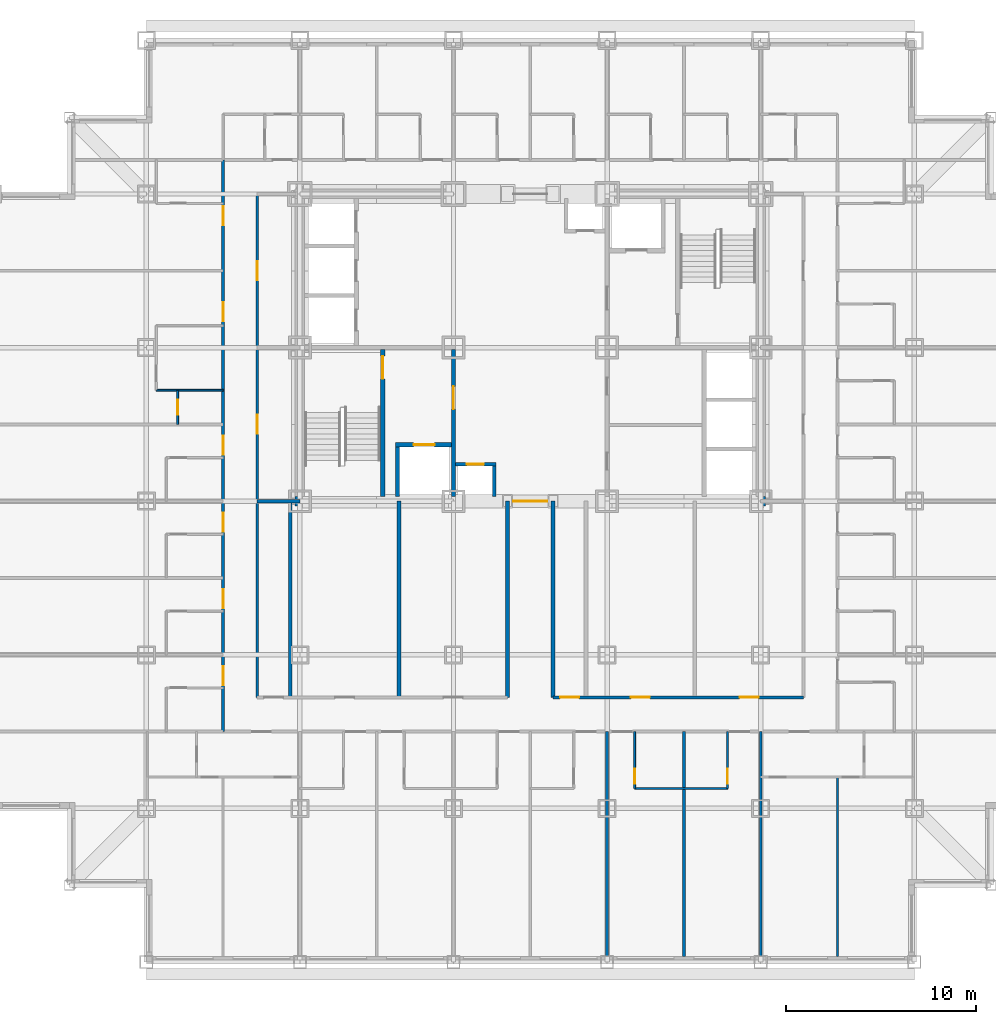
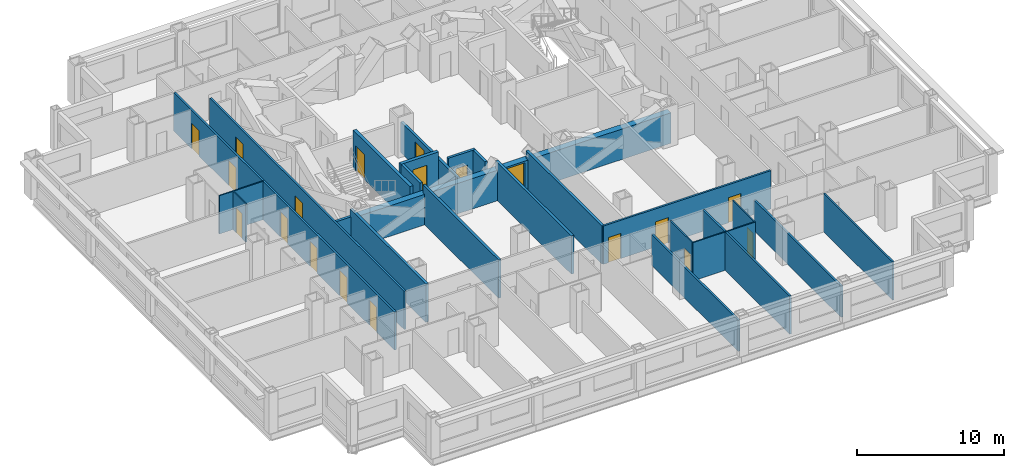
# One storey, part 5 of 11: 24 walls, 19 doors, 19 openings.
"""IFC4 building model written with IfcOpenShell, lengths in metres."""

from ifc_helpers import new_model, si_unit, direction, frame, frame_2d, origin, place, context, subcontext, project, spatial, rectangle, extrude, material, layer, layer_set, type_object, element, fill, save


model = new_model("IFC4")

# Units and contexts
model_context = context("Model", 3, precision=1e-05, world=origin(), true_north=direction((0.0, 1.0)))
body_context = subcontext(model_context, "Body", "Model", "MODEL_VIEW")
ifc_project = project(units=[si_unit("LENGTHUNIT", "METRE"), si_unit("AREAUNIT", "SQUARE_METRE"), si_unit("VOLUMEUNIT", "CUBIC_METRE"), si_unit("PLANEANGLEUNIT", "RADIAN"), si_unit("MASSUNIT", "GRAM", prefix="KILO")], contexts=[model_context])

# Site, building, storey
site_placement = place(None, origin())
site = spatial("IfcSite", under=ifc_project, at=site_placement, CompositionType="ELEMENT")
building_placement = place(site_placement, origin())
building = spatial("IfcBuilding", under=site, at=building_placement, Name="Kopane Lantern Tower", CompositionType="ELEMENT")
storey_placement = place(building_placement, frame((0.0, 0.0, 60.199951171875)))
storey = spatial("IfcBuildingStorey", under=building, at=storey_placement, Name="L14", CompositionType="ELEMENT", Elevation=60.199951171875)

# Walls
ifc_material_1 = material(Name="Gypsum board on steel studs", Category="steel")
ifc_layer_1 = layer(ifc_material_1, 0.1201171875)
ifc_layer_set_1 = layer_set([ifc_layer_1], Name="APARTMENT INTERNAL WALL 120")
wall_type_1 = type_object("IfcWallType", Name="APARTMENT INTERNAL WALL 120", PredefinedType="PARTITIONING", material=ifc_layer_set_1)
wall_1_placement = place(storey_placement, frame((44.550048828125, 9.75, 0.0), z_axis=(0.0, 0.0, 1.0), x_axis=(0.0, -1.0, 0.0)))
element("IfcWall", 1, at=wall_1_placement, inside=storey, type_object=wall_type_1, Name="Apartment Internal Wall 120 L14", PredefinedType="PARTITIONING", context=body_context, shape_type="SweptSolid", body=[
    extrude(rectangle(XDim=9.449951171875, YDim=0.1201171875, at=frame_2d((4.72509765625, 0.0))), origin(), (0.0, 0.0, 1.0), 3.18994140625),
])
ifc_material_2 = material(Name="Moisture-resistant board on steel studs", Category="steel")
ifc_layer_2 = layer(ifc_material_2, 0.10009765625)
ifc_layer_set_2 = layer_set([ifc_layer_2], Name="BATHROOM WALL 100")
wall_type_2 = type_object("IfcWallType", Name="BATHROOM WALL 100", PredefinedType="PARTITIONING", material=ifc_layer_set_2)
wall_2_placement = place(storey_placement, frame((33.85009765625, 9.14990234375, 0.0), z_axis=(0.0, 0.0, 1.0), x_axis=(1.0, 0.0, 0.0)))
element("IfcWall", 2, at=wall_2_placement, inside=storey, type_object=wall_type_2, Name="Bathroom Wall 100 L14", PredefinedType="PARTITIONING", context=body_context, shape_type="SweptSolid", body=[
    extrude(rectangle(XDim=4.89990234375, YDim=0.10009765625, at=frame_2d((2.449951171875, 0.0))), origin(), (0.0, 0.0, 1.0), 3.18994140625),
])

# Wall, opening, door
wall_3_placement = place(storey_placement, frame((33.85009765625, 12.14990234375, 0.0), z_axis=(0.0, 0.0, 1.0), x_axis=(0.0, -1.0, 0.0)))
wall_3 = element("IfcWall", 3, at=wall_3_placement, inside=storey, type_object=wall_type_2, Name="Bathroom Wall 100 L14", PredefinedType="PARTITIONING", context=body_context, shape_type="SweptSolid", body=[
    extrude(rectangle(XDim=3.0, YDim=0.10009765625, at=frame_2d((1.5, 0.0))), origin(), (0.0, 0.0, 1.0), 3.18994140625),
])
opening_1_placement = place(wall_3_placement, frame((1.949951171875, 0.0, 0.0)))
opening_1 = element("IfcOpeningElement", 4, at=opening_1_placement, cuts=wall_3, Name="Opening L14-019", PredefinedType="OPENING", context=body_context, shape_type="SweptSolid", body=[
    extrude(rectangle(XDim=0.800048828125, YDim=2.10009765625, at=frame_2d((0.39990234375, 1.050048828125))), frame((0.0, 0.06005859375, 0.0), z_axis=(0.0, -1.0, 0.0), x_axis=(1.0, 0.0, 0.0)), (0.0, 0.0, 1.0), 0.1201171875),
])
ifc_material_3 = material(Name="Timber door set", Category="wood")
door_type_1 = type_object("IfcDoorType", Name="DOOR D2 800x2100", OperationType="SINGLE_SWING_LEFT", PredefinedType="DOOR", material=ifc_material_3)
door_1_placement = place(opening_1_placement, origin())
door_1 = element("IfcDoor", 5, at=door_1_placement, inside=storey, type_object=door_type_1, Name="Door L14-019", OperationType="SINGLE_SWING_RIGHT", OverallHeight=2.10009765625, OverallWidth=0.800048828125, PredefinedType="DOOR", context=body_context, shape_type="SweptSolid", body=[
    extrude(rectangle(XDim=0.800048828125, YDim=2.10009765625, at=frame_2d((0.39990234375, 1.050048828125))), frame((0.0, 0.02490234375, 0.0), z_axis=(0.0, -1.0, 0.0), x_axis=(1.0, 0.0, 0.0)), (0.0, 0.0, 1.0), 0.050048828125),
])
fill(opening_1, door_1)

wall_4_placement = place(storey_placement, frame((38.75, 12.14990234375, 0.0), z_axis=(0.0, 0.0, 1.0), x_axis=(0.0, -1.0, 0.0)))
wall_4 = element("IfcWall", 6, at=wall_4_placement, inside=storey, type_object=wall_type_2, Name="Bathroom Wall 100 L14", PredefinedType="PARTITIONING", context=body_context, shape_type="SweptSolid", body=[
    extrude(rectangle(XDim=3.0, YDim=0.10009765625, at=frame_2d((1.5, 0.0))), origin(), (0.0, 0.0, 1.0), 3.18994140625),
])
opening_2_placement = place(wall_4_placement, frame((1.949951171875, 0.0, 0.0)))
opening_2 = element("IfcOpeningElement", 7, at=opening_2_placement, cuts=wall_4, Name="Opening L14-021", PredefinedType="OPENING", context=body_context, shape_type="SweptSolid", body=[
    extrude(rectangle(XDim=0.800048828125, YDim=2.10009765625, at=frame_2d((0.39990234375, 1.050048828125))), frame((0.0, 0.06005859375, 0.0), z_axis=(0.0, -1.0, 0.0), x_axis=(1.0, 0.0, 0.0)), (0.0, 0.0, 1.0), 0.1201171875),
])
door_2_placement = place(opening_2_placement, origin())
door_2 = element("IfcDoor", 8, at=door_2_placement, inside=storey, type_object=door_type_1, Name="Door L14-021", OperationType="SINGLE_SWING_LEFT", OverallHeight=2.10009765625, OverallWidth=0.800048828125, PredefinedType="DOOR", context=body_context, shape_type="SweptSolid", body=[
    extrude(rectangle(XDim=0.800048828125, YDim=2.10009765625, at=frame_2d((0.39990234375, 1.050048828125))), frame((0.0, 0.02490234375, 0.0), z_axis=(0.0, -1.0, 0.0), x_axis=(1.0, 0.0, 0.0)), (0.0, 0.0, 1.0), 0.050048828125),
])
fill(opening_2, door_2)

wall_5_placement = place(storey_placement, frame((9.75, 28.35009765625, 0.0), z_axis=(0.0, 0.0, 1.0), x_axis=(0.0, 1.0, 0.0)))
wall_5 = element("IfcWall", 9, at=wall_5_placement, inside=storey, type_object=wall_type_2, Name="Bathroom Wall 100 L14", PredefinedType="PARTITIONING", context=body_context, shape_type="SweptSolid", body=[
    extrude(rectangle(XDim=1.7998046875, YDim=0.10009765625, at=frame_2d((0.89990234375, 0.0))), origin(), (0.0, 0.0, 1.0), 3.18994140625),
])
opening_3_placement = place(wall_5_placement, frame((0.5, 0.0, 0.0)))
opening_3 = element("IfcOpeningElement", 10, at=opening_3_placement, cuts=wall_5, Name="Opening L14-044", PredefinedType="OPENING", context=body_context, shape_type="SweptSolid", body=[
    extrude(rectangle(XDim=0.800048828125, YDim=2.10009765625, at=frame_2d((0.39990234375, 1.050048828125))), frame((0.0, 0.06005859375, 0.0), z_axis=(0.0, -1.0, 0.0), x_axis=(1.0, 0.0, 0.0)), (0.0, 0.0, 1.0), 0.1201171875),
])
door_3_placement = place(opening_3_placement, origin())
door_3 = element("IfcDoor", 11, at=door_3_placement, inside=storey, type_object=door_type_1, Name="Door L14-044", OperationType="SINGLE_SWING_RIGHT", OverallHeight=2.10009765625, OverallWidth=0.800048828125, PredefinedType="DOOR", context=body_context, shape_type="SweptSolid", body=[
    extrude(rectangle(XDim=0.800048828125, YDim=2.10009765625, at=frame_2d((0.39990234375, 1.050048828125))), frame((0.0, 0.02490234375, 0.0), z_axis=(0.0, -1.0, 0.0), x_axis=(1.0, 0.0, 0.0)), (0.0, 0.0, 1.0), 0.050048828125),
])
fill(opening_3, door_3)

# Wall
wall_6_placement = place(storey_placement, frame((12.14990234375, 30.14990234375, 0.0), z_axis=(0.0, 0.0, 1.0), x_axis=(-1.0, 0.0, 0.0)))
element("IfcWall", 12, at=wall_6_placement, inside=storey, type_object=wall_type_2, Name="Bathroom Wall 100 L14", PredefinedType="PARTITIONING", context=body_context, shape_type="SweptSolid", body=[
    extrude(rectangle(XDim=3.514892578125, YDim=0.10009765625, at=frame_2d((1.75732421875, 0.0))), origin(), (0.0, 0.0, 1.0), 3.18994140625),
])

# Wall, opening, door
ifc_material_4 = material(Name="Gypsum shaft wall EI 120", Category="gypsum")
ifc_layer_3 = layer(ifc_material_4, 0.5)
ifc_layer_set_3 = layer_set([ifc_layer_3], Name="CORE PERIMETER WALL 500 EI 120")
wall_type_3 = type_object("IfcWallType", Name="CORE PERIMETER WALL 500 EI 120", PredefinedType="SOLIDWALL", material=ifc_layer_set_3)
wall_7_placement = place(storey_placement, frame((15.949951171875, 24.300048828125, 0.0), z_axis=(0.0, 0.0, 1.0), x_axis=(1.0, 0.0, 0.0)))
wall_7 = element("IfcWall", 13, at=wall_7_placement, inside=storey, type_object=wall_type_3, Name="Core shaft wall L14 PS", PredefinedType="SOLIDWALL", context=body_context, shape_type="SweptSolid", body=[
    extrude(rectangle(XDim=24.800048828125, YDim=0.5, at=frame_2d((12.39990234375, 0.0))), origin(), (0.0, 0.0, 1.0), 2.5400390625),
])
opening_4_placement = place(wall_7_placement, frame((11.5, 0.0, 0.0)))
opening_4 = element("IfcOpeningElement", 14, at=opening_4_placement, cuts=wall_7, Name="Opening 14.CE-S", PredefinedType="OPENING", context=body_context, shape_type="SweptSolid", body=[
    extrude(rectangle(XDim=1.800048828125, YDim=2.39990234375, at=frame_2d((0.89990234375, 1.199951171875))), frame((0.0, 0.260009765625, 0.0), z_axis=(0.0, -1.0, 0.0), x_axis=(1.0, 0.0, 0.0)), (0.0, 0.0, 1.0), 0.52001953125),
])
ifc_material_5 = material(Name="Steel door set", Category="steel")
door_type_2 = type_object("IfcDoorType", Name="CORE ENTRY DOOR 1800x2400 FD60S", OperationType="DOUBLE_DOOR_SINGLE_SWING", PredefinedType="DOOR", material=ifc_material_5)
door_4_placement = place(opening_4_placement, origin())
door_4 = element("IfcDoor", 15, at=door_4_placement, inside=storey, type_object=door_type_2, Name="Core entry door L14 south", OperationType="DOUBLE_DOOR_SINGLE_SWING", OverallHeight=2.39990234375, OverallWidth=1.800048828125, PredefinedType="DOOR", context=body_context, shape_type="SweptSolid", body=[
    extrude(rectangle(XDim=1.800048828125, YDim=2.39990234375, at=frame_2d((0.89990234375, 1.199951171875))), frame((0.0, 0.02490234375, 0.0), z_axis=(0.0, -1.0, 0.0), x_axis=(1.0, 0.0, 0.0)), (0.0, 0.0, 1.0), 0.050048828125),
])
fill(opening_4, door_4)

ifc_material_6 = material(Name="Gypsum shaft wall EI 120", Category="gypsum")
ifc_layer_4 = layer(ifc_material_6, 0.25)
ifc_layer_set_4 = layer_set([ifc_layer_4], Name="CORE SHAFT WALL 250 EI 120")
wall_type_4 = type_object("IfcWallType", Name="CORE SHAFT WALL 250 EI 120", PredefinedType="SOLIDWALL", material=ifc_layer_set_4)
wall_8_placement = place(storey_placement, frame((20.574951171875, 24.550048828125, 0.0), z_axis=(0.0, 0.0, 1.0), x_axis=(0.0, 1.0, 0.0)))
wall_8 = element("IfcWall", 16, at=wall_8_placement, inside=storey, type_object=wall_type_4, Name="Core shaft wall L14 XST1", PredefinedType="SOLIDWALL", context=body_context, shape_type="SweptSolid", body=[
    extrude(rectangle(XDim=7.75, YDim=0.25, at=frame_2d((3.875, 0.0))), origin(), (0.0, 0.0, 1.0), 3.18994140625),
])
opening_5_placement = place(wall_8_placement, frame((6.199951171875, 0.0, 0.0)))
opening_5 = element("IfcOpeningElement", 17, at=opening_5_placement, cuts=wall_8, Name="Opening 14.SD1", PredefinedType="OPENING", context=body_context, shape_type="SweptSolid", body=[
    extrude(rectangle(XDim=1.199951171875, YDim=2.10009765625, at=frame_2d((0.60009765625, 1.050048828125))), frame((0.0, 0.135009765625, 0.0), z_axis=(0.0, -1.0, 0.0), x_axis=(1.0, 0.0, 0.0)), (0.0, 0.0, 1.0), 0.27001953125),
])
ifc_material_7 = material(Name="Steel door set", Category="steel")
door_type_3 = type_object("IfcDoorType", Name="STAIR DOOR 1200x2100 FD60S", OperationType="SINGLE_SWING_LEFT", PredefinedType="DOOR", material=ifc_material_7)
door_5_placement = place(opening_5_placement, origin())
door_5 = element("IfcDoor", 18, at=door_5_placement, inside=storey, type_object=door_type_3, Name="Stair door ST1 L14", OperationType="SINGLE_SWING_LEFT", OverallHeight=2.10009765625, OverallWidth=1.199951171875, PredefinedType="DOOR", context=body_context, shape_type="SweptSolid", body=[
    extrude(rectangle(XDim=1.199951171875, YDim=2.10009765625, at=frame_2d((0.60009765625, 1.050048828125))), frame((0.0, 0.02490234375, 0.0), z_axis=(0.0, -1.0, 0.0), x_axis=(1.0, 0.0, 0.0)), (0.0, 0.0, 1.0), 0.050048828125),
])
fill(opening_5, door_5)

wall_9_placement = place(storey_placement, frame((21.25, 27.27490234375, 0.0), z_axis=(0.0, 0.0, 1.0), x_axis=(1.0, 0.0, 0.0)))
wall_9 = element("IfcWall", 19, at=wall_9_placement, inside=storey, type_object=wall_type_4, Name="Core shaft wall L14 YLF1", PredefinedType="SOLIDWALL", context=body_context, shape_type="SweptSolid", body=[
    extrude(rectangle(XDim=2.949951171875, YDim=0.25, at=frame_2d((1.47509765625, 0.0))), origin(), (0.0, 0.0, 1.0), 3.18994140625),
])
opening_6_placement = place(wall_9_placement, frame((0.949951171875, 0.0, 0.0)))
opening_6 = element("IfcOpeningElement", 20, at=opening_6_placement, cuts=wall_9, Name="Opening 14.LD-LF1", PredefinedType="OPENING", context=body_context, shape_type="SweptSolid", body=[
    extrude(rectangle(XDim=1.10009765625, YDim=2.39990234375, at=frame_2d((0.550048828125, 1.199951171875))), frame((0.0, 0.135009765625, 0.0), z_axis=(0.0, -1.0, 0.0), x_axis=(1.0, 0.0, 0.0)), (0.0, 0.0, 1.0), 0.27001953125),
])
ifc_material_8 = material(Name="Steel door set", Category="steel")
door_type_4 = type_object("IfcDoorType", Name="LIFT LANDING DOOR 1100x2400 FD60", OperationType="DOUBLE_DOOR_SLIDING", PredefinedType="DOOR", material=ifc_material_8)
door_6_placement = place(opening_6_placement, origin())
door_6 = element("IfcDoor", 21, at=door_6_placement, inside=storey, type_object=door_type_4, Name="Landing door LF1 L14", OperationType="DOUBLE_DOOR_SLIDING", OverallHeight=2.39990234375, OverallWidth=1.10009765625, PredefinedType="DOOR", context=body_context, shape_type="SweptSolid", body=[
    extrude(rectangle(XDim=1.10009765625, YDim=2.39990234375, at=frame_2d((0.550048828125, 1.199951171875))), frame((0.0, 0.02490234375, 0.0), z_axis=(0.0, -1.0, 0.0), x_axis=(1.0, 0.0, 0.0)), (0.0, 0.0, 1.0), 0.050048828125),
])
fill(opening_6, door_6)

# Wall, openings, doors
ifc_material_9 = material(Name="Gypsum board on steel studs", Category="steel")
ifc_layer_5 = layer(ifc_material_9, 0.14990234375)
ifc_layer_set_5 = layer_set([ifc_layer_5], Name="CORRIDOR WALL 150 EI 60")
wall_type_5 = type_object("IfcWallType", Name="CORRIDOR WALL 150 EI 60", PredefinedType="PARTITIONING", material=ifc_layer_set_5)
wall_10_placement = place(storey_placement, frame((12.14990234375, 12.14990234375, 0.0), z_axis=(0.0, 0.0, 1.0), x_axis=(0.0, 1.0, 0.0)))
wall_10 = element("IfcWall", 22, at=wall_10_placement, inside=storey, type_object=wall_type_5, Name="Corridor Wall 150 Ei 60 L14", PredefinedType="PARTITIONING", context=body_context, shape_type="SweptSolid", body=[
    extrude(rectangle(XDim=30.150146484375, YDim=0.14990234375, at=frame_2d((15.0751953125, 0.0))), origin(), (0.0, 0.0, 1.0), 3.18994140625),
])
opening_7_placement = place(wall_10_placement, frame((2.449951171875, 0.0, 0.0)))
opening_7 = element("IfcOpeningElement", 23, at=opening_7_placement, cuts=wall_10, Name="Opening L14-036", PredefinedType="OPENING", context=body_context, shape_type="SweptSolid", body=[
    extrude(rectangle(XDim=1.0, YDim=2.10009765625, at=frame_2d((0.5, 1.050048828125))), frame((0.0, 0.0849609375, 0.0), z_axis=(0.0, -1.0, 0.0), x_axis=(1.0, 0.0, 0.0)), (0.0, 0.0, 1.0), 0.169921875),
])
opening_8_placement = place(wall_10_placement, frame((6.5, 0.0, 0.0)))
opening_8 = element("IfcOpeningElement", 24, at=opening_8_placement, cuts=wall_10, Name="Opening L14-038", PredefinedType="OPENING", context=body_context, shape_type="SweptSolid", body=[
    extrude(rectangle(XDim=1.0, YDim=2.10009765625, at=frame_2d((0.5, 1.050048828125))), frame((0.0, 0.0849609375, 0.0), z_axis=(0.0, -1.0, 0.0), x_axis=(1.0, 0.0, 0.0)), (0.0, 0.0, 1.0), 0.169921875),
])
opening_9_placement = place(wall_10_placement, frame((10.550048828125, 0.0, 0.0)))
opening_9 = element("IfcOpeningElement", 25, at=opening_9_placement, cuts=wall_10, Name="Opening L14-040", PredefinedType="OPENING", context=body_context, shape_type="SweptSolid", body=[
    extrude(rectangle(XDim=1.0, YDim=2.10009765625, at=frame_2d((0.5, 1.050048828125))), frame((0.0, 0.0849609375, 0.0), z_axis=(0.0, -1.0, 0.0), x_axis=(1.0, 0.0, 0.0)), (0.0, 0.0, 1.0), 0.169921875),
])
opening_10_placement = place(wall_10_placement, frame((14.60009765625, 0.0, 0.0)))
opening_10 = element("IfcOpeningElement", 26, at=opening_10_placement, cuts=wall_10, Name="Opening L14-042", PredefinedType="OPENING", context=body_context, shape_type="SweptSolid", body=[
    extrude(rectangle(XDim=1.0, YDim=2.10009765625, at=frame_2d((0.5, 1.050048828125))), frame((0.0, 0.0849609375, 0.0), z_axis=(0.0, -1.0, 0.0), x_axis=(1.0, 0.0, 0.0)), (0.0, 0.0, 1.0), 0.169921875),
])
opening_11_placement = place(wall_10_placement, frame((21.64990234375, 0.0, 0.0)))
opening_11 = element("IfcOpeningElement", 27, at=opening_11_placement, cuts=wall_10, Name="Opening L14-045", PredefinedType="OPENING", context=body_context, shape_type="SweptSolid", body=[
    extrude(rectangle(XDim=1.0, YDim=2.10009765625, at=frame_2d((0.5, 1.050048828125))), frame((0.0, 0.0849609375, 0.0), z_axis=(0.0, -1.0, 0.0), x_axis=(1.0, 0.0, 0.0)), (0.0, 0.0, 1.0), 0.169921875),
])
opening_12_placement = place(wall_10_placement, frame((26.699951171875, 0.0, 0.0)))
opening_12 = element("IfcOpeningElement", 28, at=opening_12_placement, cuts=wall_10, Name="Opening L14-047", PredefinedType="OPENING", context=body_context, shape_type="SweptSolid", body=[
    extrude(rectangle(XDim=1.0, YDim=2.10009765625, at=frame_2d((0.5, 1.050048828125))), frame((0.0, 0.0849609375, 0.0), z_axis=(0.0, -1.0, 0.0), x_axis=(1.0, 0.0, 0.0)), (0.0, 0.0, 1.0), 0.169921875),
])
ifc_material_10 = material(Name="Steel door set", Category="steel")
door_type_5 = type_object("IfcDoorType", Name="DOOR D1 1000x2100 FD30S", OperationType="SINGLE_SWING_LEFT", PredefinedType="DOOR", material=ifc_material_10)
door_7_placement = place(opening_7_placement, origin())
door_7 = element("IfcDoor", 29, at=door_7_placement, inside=storey, type_object=door_type_5, Name="Door L14-036", OperationType="SINGLE_SWING_LEFT", OverallHeight=2.10009765625, OverallWidth=1.0, PredefinedType="DOOR", context=body_context, shape_type="SweptSolid", body=[
    extrude(rectangle(XDim=1.0, YDim=2.10009765625, at=frame_2d((0.5, 1.050048828125))), frame((0.0, 0.02490234375, 0.0), z_axis=(0.0, -1.0, 0.0), x_axis=(1.0, 0.0, 0.0)), (0.0, 0.0, 1.0), 0.050048828125),
])
fill(opening_7, door_7)
door_8_placement = place(opening_8_placement, origin())
door_8 = element("IfcDoor", 30, at=door_8_placement, inside=storey, type_object=door_type_5, Name="Door L14-038", OperationType="SINGLE_SWING_LEFT", OverallHeight=2.10009765625, OverallWidth=1.0, PredefinedType="DOOR", context=body_context, shape_type="SweptSolid", body=[
    extrude(rectangle(XDim=1.0, YDim=2.10009765625, at=frame_2d((0.5, 1.050048828125))), frame((0.0, 0.02490234375, 0.0), z_axis=(0.0, -1.0, 0.0), x_axis=(1.0, 0.0, 0.0)), (0.0, 0.0, 1.0), 0.050048828125),
])
fill(opening_8, door_8)
door_9_placement = place(opening_9_placement, origin())
door_9 = element("IfcDoor", 31, at=door_9_placement, inside=storey, type_object=door_type_5, Name="Door L14-040", OperationType="SINGLE_SWING_LEFT", OverallHeight=2.10009765625, OverallWidth=1.0, PredefinedType="DOOR", context=body_context, shape_type="SweptSolid", body=[
    extrude(rectangle(XDim=1.0, YDim=2.10009765625, at=frame_2d((0.5, 1.050048828125))), frame((0.0, 0.02490234375, 0.0), z_axis=(0.0, -1.0, 0.0), x_axis=(1.0, 0.0, 0.0)), (0.0, 0.0, 1.0), 0.050048828125),
])
fill(opening_9, door_9)
door_10_placement = place(opening_10_placement, origin())
door_10 = element("IfcDoor", 32, at=door_10_placement, inside=storey, type_object=door_type_5, Name="Door L14-042", OperationType="SINGLE_SWING_LEFT", OverallHeight=2.10009765625, OverallWidth=1.0, PredefinedType="DOOR", context=body_context, shape_type="SweptSolid", body=[
    extrude(rectangle(XDim=1.0, YDim=2.10009765625, at=frame_2d((0.5, 1.050048828125))), frame((0.0, 0.02490234375, 0.0), z_axis=(0.0, -1.0, 0.0), x_axis=(1.0, 0.0, 0.0)), (0.0, 0.0, 1.0), 0.050048828125),
])
fill(opening_10, door_10)
door_11_placement = place(opening_11_placement, origin())
door_11 = element("IfcDoor", 33, at=door_11_placement, inside=storey, type_object=door_type_5, Name="Door L14-045", OperationType="SINGLE_SWING_LEFT", OverallHeight=2.10009765625, OverallWidth=1.0, PredefinedType="DOOR", context=body_context, shape_type="SweptSolid", body=[
    extrude(rectangle(XDim=1.0, YDim=2.10009765625, at=frame_2d((0.5, 1.050048828125))), frame((0.0, 0.02490234375, 0.0), z_axis=(0.0, -1.0, 0.0), x_axis=(1.0, 0.0, 0.0)), (0.0, 0.0, 1.0), 0.050048828125),
])
fill(opening_11, door_11)
door_12_placement = place(opening_12_placement, origin())
door_12 = element("IfcDoor", 34, at=door_12_placement, inside=storey, type_object=door_type_5, Name="Door L14-047", OperationType="SINGLE_SWING_RIGHT", OverallHeight=2.10009765625, OverallWidth=1.0, PredefinedType="DOOR", context=body_context, shape_type="SweptSolid", body=[
    extrude(rectangle(XDim=1.0, YDim=2.10009765625, at=frame_2d((0.5, 1.050048828125))), frame((0.0, 0.02490234375, 0.0), z_axis=(0.0, -1.0, 0.0), x_axis=(1.0, 0.0, 0.0)), (0.0, 0.0, 1.0), 0.050048828125),
])
fill(opening_12, door_12)

wall_11_placement = place(storey_placement, frame((13.949951171875, 40.5, 0.0), z_axis=(0.0, 0.0, 1.0), x_axis=(0.0, -1.0, 0.0)))
wall_11 = element("IfcWall", 35, at=wall_11_placement, inside=storey, type_object=wall_type_5, Name="Corridor Wall 150 Ei 60 L14", PredefinedType="PARTITIONING", context=body_context, shape_type="SweptSolid", body=[
    extrude(rectangle(XDim=26.550048828125, YDim=0.14990234375, at=frame_2d((13.27490234375, 0.0))), origin(), (0.0, 0.0, 1.0), 3.18994140625),
])
opening_13_placement = place(wall_11_placement, frame((11.64990234375, 0.0, 0.0)))
opening_13 = element("IfcOpeningElement", 36, at=opening_13_placement, cuts=wall_11, Name="Opening L14-001", PredefinedType="OPENING", context=body_context, shape_type="SweptSolid", body=[
    extrude(rectangle(XDim=1.0, YDim=2.10009765625, at=frame_2d((0.5, 1.050048828125))), frame((0.0, 0.0849609375, 0.0), z_axis=(0.0, -1.0, 0.0), x_axis=(1.0, 0.0, 0.0)), (0.0, 0.0, 1.0), 0.169921875),
])
opening_14_placement = place(wall_11_placement, frame((3.550048828125, 0.0, 0.0)))
opening_14 = element("IfcOpeningElement", 37, at=opening_14_placement, cuts=wall_11, Name="Opening L14-002", PredefinedType="OPENING", context=body_context, shape_type="SweptSolid", body=[
    extrude(rectangle(XDim=1.0, YDim=2.10009765625, at=frame_2d((0.5, 1.050048828125))), frame((0.0, 0.0849609375, 0.0), z_axis=(0.0, -1.0, 0.0), x_axis=(1.0, 0.0, 0.0)), (0.0, 0.0, 1.0), 0.169921875),
])
ifc_material_11 = material(Name="Steel door set", Category="steel")
door_type_6 = type_object("IfcDoorType", Name="DOOR D5 1000x2100 FD60", OperationType="SINGLE_SWING_LEFT", PredefinedType="DOOR", material=ifc_material_11)
door_13_placement = place(opening_13_placement, origin())
door_13 = element("IfcDoor", 38, at=door_13_placement, inside=storey, type_object=door_type_6, Name="Door L14-001", OperationType="SINGLE_SWING_RIGHT", OverallHeight=2.10009765625, OverallWidth=1.0, PredefinedType="DOOR", context=body_context, shape_type="SweptSolid", body=[
    extrude(rectangle(XDim=1.0, YDim=2.10009765625, at=frame_2d((0.5, 1.050048828125))), frame((0.0, 0.02490234375, 0.0), z_axis=(0.0, -1.0, 0.0), x_axis=(1.0, 0.0, 0.0)), (0.0, 0.0, 1.0), 0.050048828125),
])
fill(opening_13, door_13)
door_14_placement = place(opening_14_placement, origin())
door_14 = element("IfcDoor", 39, at=door_14_placement, inside=storey, type_object=door_type_6, Name="Door L14-002", OperationType="SINGLE_SWING_LEFT", OverallHeight=2.10009765625, OverallWidth=1.0, PredefinedType="DOOR", context=body_context, shape_type="SweptSolid", body=[
    extrude(rectangle(XDim=1.0, YDim=2.10009765625, at=frame_2d((0.5, 1.050048828125))), frame((0.0, 0.02490234375, 0.0), z_axis=(0.0, -1.0, 0.0), x_axis=(1.0, 0.0, 0.0)), (0.0, 0.0, 1.0), 0.050048828125),
])
fill(opening_14, door_14)

wall_12_placement = place(storey_placement, frame((29.56005859375, 13.949951171875, 0.0), z_axis=(0.0, 0.0, 1.0), x_axis=(1.0, 0.0, 0.0)))
wall_12 = element("IfcWall", 40, at=wall_12_placement, inside=storey, type_object=wall_type_5, Name="Corridor Wall 150 Ei 60 L14", PredefinedType="PARTITIONING", context=body_context, shape_type="SweptSolid", body=[
    extrude(rectangle(XDim=13.18994140625, YDim=0.14990234375, at=frame_2d((6.594970703125, 0.0))), origin(), (0.0, 0.0, 1.0), 3.18994140625),
])
opening_15_placement = place(wall_12_placement, frame((0.359619140625, 0.0, 0.0)))
opening_15 = element("IfcOpeningElement", 41, at=opening_15_placement, cuts=wall_12, Name="Opening L14-008", PredefinedType="OPENING", context=body_context, shape_type="SweptSolid", body=[
    extrude(rectangle(XDim=1.0, YDim=2.10009765625, at=frame_2d((0.5, 1.050048828125))), frame((0.0, 0.0849609375, 0.0), z_axis=(0.0, -1.0, 0.0), x_axis=(1.0, 0.0, 0.0)), (0.0, 0.0, 1.0), 0.169921875),
])
opening_16_placement = place(wall_12_placement, frame((4.09423828125, 0.0, 0.0)))
opening_16 = element("IfcOpeningElement", 42, at=opening_16_placement, cuts=wall_12, Name="Opening L14-009", PredefinedType="OPENING", context=body_context, shape_type="SweptSolid", body=[
    extrude(rectangle(XDim=1.0, YDim=2.10009765625, at=frame_2d((0.5, 1.050048828125))), frame((0.0, 0.0849609375, 0.0), z_axis=(0.0, -1.0, 0.0), x_axis=(1.0, 0.0, 0.0)), (0.0, 0.0, 1.0), 0.169921875),
])
opening_17_placement = place(wall_12_placement, frame((9.82470703125, 0.0, 0.0)))
opening_17 = element("IfcOpeningElement", 43, at=opening_17_placement, cuts=wall_12, Name="Opening L14-010", PredefinedType="OPENING", context=body_context, shape_type="SweptSolid", body=[
    extrude(rectangle(XDim=1.0, YDim=2.10009765625, at=frame_2d((0.5, 1.050048828125))), frame((0.0, 0.0849609375, 0.0), z_axis=(0.0, -1.0, 0.0), x_axis=(1.0, 0.0, 0.0)), (0.0, 0.0, 1.0), 0.169921875),
])
door_15_placement = place(opening_15_placement, origin())
door_15 = element("IfcDoor", 44, at=door_15_placement, inside=storey, type_object=door_type_6, Name="Door L14-008", OperationType="SINGLE_SWING_LEFT", OverallHeight=2.10009765625, OverallWidth=1.0, PredefinedType="DOOR", context=body_context, shape_type="SweptSolid", body=[
    extrude(rectangle(XDim=1.0, YDim=2.10009765625, at=frame_2d((0.5, 1.050048828125))), frame((0.0, 0.02490234375, 0.0), z_axis=(0.0, -1.0, 0.0), x_axis=(1.0, 0.0, 0.0)), (0.0, 0.0, 1.0), 0.050048828125),
])
fill(opening_15, door_15)
door_16_placement = place(opening_16_placement, origin())
door_16 = element("IfcDoor", 45, at=door_16_placement, inside=storey, type_object=door_type_6, Name="Door L14-009", OperationType="SINGLE_SWING_RIGHT", OverallHeight=2.10009765625, OverallWidth=1.0, PredefinedType="DOOR", context=body_context, shape_type="SweptSolid", body=[
    extrude(rectangle(XDim=1.0, YDim=2.10009765625, at=frame_2d((0.5, 1.050048828125))), frame((0.0, 0.02490234375, 0.0), z_axis=(0.0, -1.0, 0.0), x_axis=(1.0, 0.0, 0.0)), (0.0, 0.0, 1.0), 0.050048828125),
])
fill(opening_16, door_16)
door_17_placement = place(opening_17_placement, origin())
door_17 = element("IfcDoor", 46, at=door_17_placement, inside=storey, type_object=door_type_6, Name="Door L14-010", OperationType="SINGLE_SWING_LEFT", OverallHeight=2.10009765625, OverallWidth=1.0, PredefinedType="DOOR", context=body_context, shape_type="SweptSolid", body=[
    extrude(rectangle(XDim=1.0, YDim=2.10009765625, at=frame_2d((0.5, 1.050048828125))), frame((0.0, 0.02490234375, 0.0), z_axis=(0.0, -1.0, 0.0), x_axis=(1.0, 0.0, 0.0)), (0.0, 0.0, 1.0), 0.050048828125),
])
fill(opening_17, door_17)

# Walls
ifc_material_12 = material(Name="Gypsum board on steel studs", Category="steel")
ifc_layer_6 = layer(ifc_material_12, 0.14990234375)
ifc_layer_set_6 = layer_set([ifc_layer_6], Name="DEMISING WALL 150 EI 60")
wall_type_6 = type_object("IfcWallType", Name="DEMISING WALL 150 EI 60", PredefinedType="PARTITIONING", material=ifc_layer_set_6)
wall_13_placement = place(storey_placement, frame((32.39990234375, 12.14990234375, 0.0), z_axis=(0.0, 0.0, 1.0), x_axis=(0.0, -1.0, 0.0)))
element("IfcWall", 47, at=wall_13_placement, inside=storey, type_object=wall_type_6, Name="Demising Wall 150 Ei 60 L14", PredefinedType="PARTITIONING", context=body_context, shape_type="SweptSolid", body=[
    extrude(rectangle(XDim=11.849853515625, YDim=0.14990234375, at=frame_2d((5.9248046875, 0.0))), origin(), (0.0, 0.0, 1.0), 2.577880859375),
])
wall_14_placement = place(storey_placement, frame((36.449951171875, 12.14990234375, 0.0), z_axis=(0.0, 0.0, 1.0), x_axis=(0.0, -1.0, 0.0)))
element("IfcWall", 48, at=wall_14_placement, inside=storey, type_object=wall_type_6, Name="Demising Wall 150 Ei 60 L14", PredefinedType="PARTITIONING", context=body_context, shape_type="SweptSolid", body=[
    extrude(rectangle(XDim=11.849853515625, YDim=0.14990234375, at=frame_2d((5.9248046875, 0.0))), origin(), (0.0, 0.0, 1.0), 3.18994140625),
])
wall_15_placement = place(storey_placement, frame((40.5, 12.14990234375, 0.0), z_axis=(0.0, 0.0, 1.0), x_axis=(0.0, -1.0, 0.0)))
element("IfcWall", 49, at=wall_15_placement, inside=storey, type_object=wall_type_6, Name="Demising Wall 150 Ei 60 L14", PredefinedType="PARTITIONING", context=body_context, shape_type="SweptSolid", body=[
    extrude(rectangle(XDim=11.849853515625, YDim=0.14990234375, at=frame_2d((5.9248046875, 0.0))), origin(), (0.0, 0.0, 1.0), 2.577880859375),
])
ifc_material_13 = material(Name="Concrete masonry", Category="masonry")
ifc_layer_7 = layer(ifc_material_13, 0.199951171875)
ifc_layer_set_7 = layer_set([ifc_layer_7], Name="PLANT ROOM WALL 200 EI 120")
wall_type_7 = type_object("IfcWallType", Name="PLANT ROOM WALL 200 EI 120", PredefinedType="SOLIDWALL", material=ifc_layer_set_7)
for number, where, z_axis, x_axis, name in (
    (50, (15.689208984375, 13.949951171875, 0.0), (0.0, 0.0, 1.0), (0.0, 1.0, 0.0), "Plant Room Wall 200 Ei 120 L14"),
    (51, (21.419677734375, 13.949951171875, 0.0), (0.0, 0.0, 1.0), (0.0, 1.0, 0.0), "Plant Room Wall 200 Ei 120 L14"),
    (52, (27.14990234375, 13.949951171875, 0.0), (0.0, 0.0, 1.0), (0.0, 1.0, 0.0), "Plant Room Wall 200 Ei 120 L14"),
    (53, (29.550048828125, 13.949951171875, 0.0), (0.0, 0.0, 1.0), (0.0, 1.0, 0.0), "Plant Room Wall 200 Ei 120 L14"),
):
    element("IfcWall", number, at=place(storey_placement, frame(where, z_axis=z_axis, x_axis=x_axis)), inside=storey, type_object=wall_type_7, Name=name, PredefinedType="SOLIDWALL", context=body_context, shape_type="SweptSolid", body=[
        extrude(rectangle(XDim=10.35009765625, YDim=0.199951171875, at=frame_2d((5.175048828125, 0.0))), origin(), (0.0, 0.0, 1.0), 3.18994140625),
    ])
wall_16_placement = place(storey_placement, frame((13.949951171875, 24.300048828125, 0.0), z_axis=(0.0, 0.0, 1.0), x_axis=(1.0, 0.0, 0.0)))
element("IfcWall", 54, at=wall_16_placement, inside=storey, type_object=wall_type_7, Name="Plant Room Wall 200 Ei 120 L14", PredefinedType="SOLIDWALL", context=body_context, shape_type="SweptSolid", body=[
    extrude(rectangle(XDim=2.25, YDim=0.199951171875, at=frame_2d((1.125, 0.0))), origin(), (0.0, 0.0, 1.0), 2.577880859375),
])

# Wall, opening, door
ifc_material_14 = material(Name="Gypsum shaft wall EI 120", Category="gypsum")
ifc_layer_8 = layer(ifc_material_14, 0.199951171875)
ifc_layer_set_8 = layer_set([ifc_layer_8], Name="SHAFT WALL 200 EI 120")
wall_type_8 = type_object("IfcWallType", Name="SHAFT WALL 200 EI 120", PredefinedType="SOLIDWALL", material=ifc_layer_set_8)
wall_17_placement = place(storey_placement, frame((24.300048828125, 24.550048828125, 0.0), z_axis=(0.0, 0.0, 1.0), x_axis=(0.0, 1.0, 0.0)))
wall_17 = element("IfcWall", 55, at=wall_17_placement, inside=storey, type_object=wall_type_8, Name="Core shaft wall L14 X243", PredefinedType="SOLIDWALL", context=body_context, shape_type="SweptSolid", body=[
    extrude(rectangle(XDim=7.75, YDim=0.199951171875, at=frame_2d((3.875, 0.0))), origin(), (0.0, 0.0, 1.0), 2.577880859375),
])
opening_18_placement = place(wall_17_placement, frame((4.60009765625, 0.0, 0.0)))
opening_18 = element("IfcOpeningElement", 56, at=opening_18_placement, cuts=wall_17, Name="Opening 14.FL1", PredefinedType="OPENING", context=body_context, shape_type="SweptSolid", body=[
    extrude(rectangle(XDim=1.199951171875, YDim=2.10009765625, at=frame_2d((0.60009765625, 1.050048828125))), frame((0.0, 0.10986328125, 0.0), z_axis=(0.0, -1.0, 0.0), x_axis=(1.0, 0.0, 0.0)), (0.0, 0.0, 1.0), 0.219970703125),
])
ifc_material_15 = material(Name="Steel door set", Category="steel")
door_type_7 = type_object("IfcDoorType", Name="FIREFIGHTING LOBBY DOOR 1200x2100 FD60S", OperationType="SINGLE_SWING_RIGHT", PredefinedType="DOOR", material=ifc_material_15)
door_18_placement = place(opening_18_placement, origin())
door_18 = element("IfcDoor", 57, at=door_18_placement, inside=storey, type_object=door_type_7, Name="Firefighting lobby door FL1 L14", OperationType="SINGLE_SWING_LEFT", OverallHeight=2.10009765625, OverallWidth=1.199951171875, PredefinedType="DOOR", context=body_context, shape_type="SweptSolid", body=[
    extrude(rectangle(XDim=1.199951171875, YDim=2.10009765625, at=frame_2d((0.60009765625, 1.050048828125))), frame((0.0, 0.02490234375, 0.0), z_axis=(0.0, -1.0, 0.0), x_axis=(1.0, 0.0, 0.0)), (0.0, 0.0, 1.0), 0.050048828125),
])
fill(opening_18, door_18)

# Walls
wall_18_placement = place(storey_placement, frame((21.35009765625, 24.550048828125, 0.0), z_axis=(0.0, 0.0, 1.0), x_axis=(0.0, 1.0, 0.0)))
element("IfcWall", 58, at=wall_18_placement, inside=storey, type_object=wall_type_8, Name="Core shaft wall L14 XLF1", PredefinedType="SOLIDWALL", context=body_context, shape_type="SweptSolid", body=[
    extrude(rectangle(XDim=2.599853515625, YDim=0.199951171875, at=frame_2d((1.2998046875, 0.0))), origin(), (0.0, 0.0, 1.0), 3.18994140625),
])
wall_19_placement = place(storey_placement, frame((26.449951171875, 24.550048828125, 0.0), z_axis=(0.0, 0.0, 1.0), x_axis=(0.0, 1.0, 0.0)))
element("IfcWall", 59, at=wall_19_placement, inside=storey, type_object=wall_type_8, Name="Core shaft wall L14 XRS1", PredefinedType="SOLIDWALL", context=body_context, shape_type="SweptSolid", body=[
    extrude(rectangle(XDim=1.599853515625, YDim=0.199951171875, at=frame_2d((0.7998046875, 0.0))), origin(), (0.0, 0.0, 1.0), 3.18994140625),
])

# Wall, opening, door
wall_20_placement = place(storey_placement, frame((24.39990234375, 26.25, 0.0), z_axis=(0.0, 0.0, 1.0), x_axis=(1.0, 0.0, 0.0)))
wall_20 = element("IfcWall", 60, at=wall_20_placement, inside=storey, type_object=wall_type_8, Name="Core shaft wall L14 YRS1", PredefinedType="SOLIDWALL", context=body_context, shape_type="SweptSolid", body=[
    extrude(rectangle(XDim=2.150146484375, YDim=0.199951171875, at=frame_2d((1.0751953125, 0.0))), origin(), (0.0, 0.0, 1.0), 3.18994140625),
])
opening_19_placement = place(wall_20_placement, frame((0.60009765625, 0.0, 0.0)))
opening_19 = element("IfcOpeningElement", 61, at=opening_19_placement, cuts=wall_20, Name="Opening 14.RS1", PredefinedType="OPENING", context=body_context, shape_type="SweptSolid", body=[
    extrude(rectangle(XDim=0.89990234375, YDim=2.10009765625, at=frame_2d((0.449951171875, 1.050048828125))), frame((0.0, 0.10986328125, 0.0), z_axis=(0.0, -1.0, 0.0), x_axis=(1.0, 0.0, 0.0)), (0.0, 0.0, 1.0), 0.219970703125),
])
ifc_material_16 = material(Name="Steel door set", Category="steel")
door_type_8 = type_object("IfcDoorType", Name="RISER ACCESS DOOR 900x2100 FD60", OperationType="SINGLE_SWING_LEFT", PredefinedType="DOOR", material=ifc_material_16)
door_19_placement = place(opening_19_placement, origin())
door_19 = element("IfcDoor", 62, at=door_19_placement, inside=storey, type_object=door_type_8, Name="Riser access door RS1 L14", OperationType="SINGLE_SWING_LEFT", OverallHeight=2.10009765625, OverallWidth=0.89990234375, PredefinedType="DOOR", context=body_context, shape_type="SweptSolid", body=[
    extrude(rectangle(XDim=0.89990234375, YDim=2.10009765625, at=frame_2d((0.449951171875, 1.050048828125))), frame((0.0, 0.02490234375, 0.0), z_axis=(0.0, -1.0, 0.0), x_axis=(1.0, 0.0, 0.0)), (0.0, 0.0, 1.0), 0.050048828125),
])
fill(opening_19, door_19)

save(model, "model.ifc")
